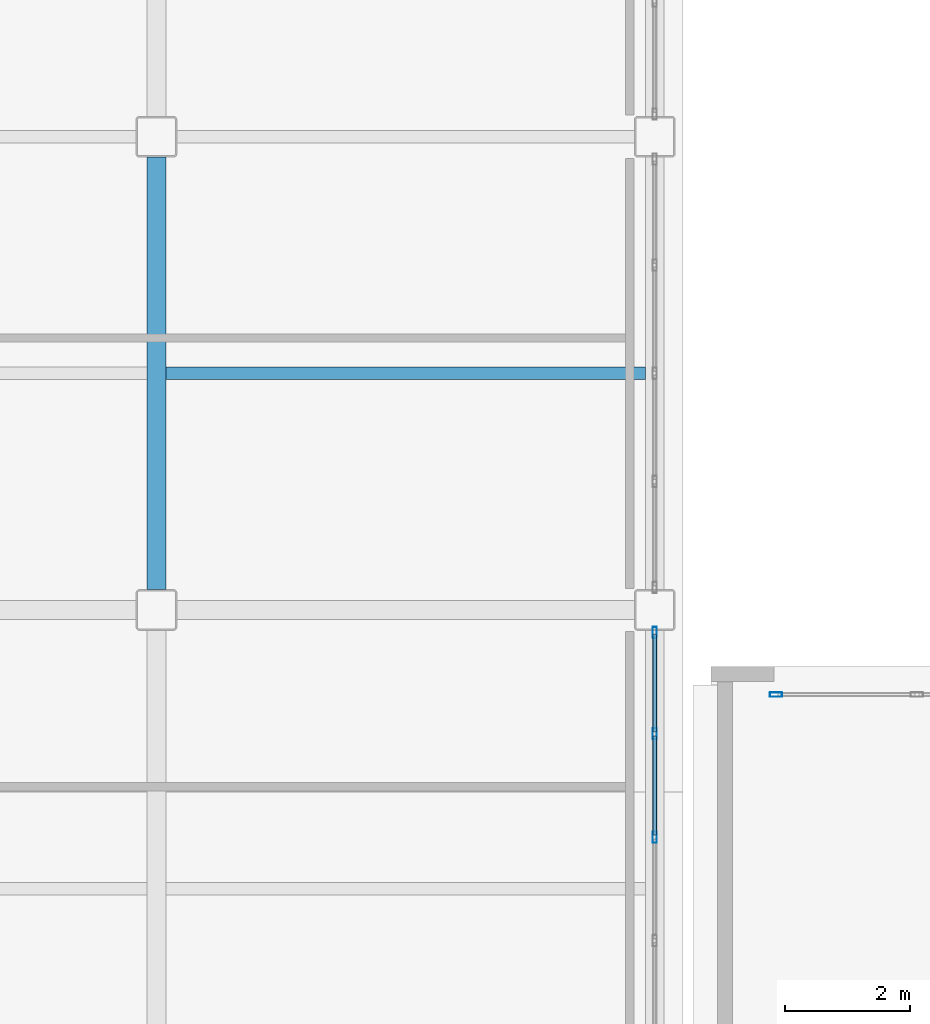
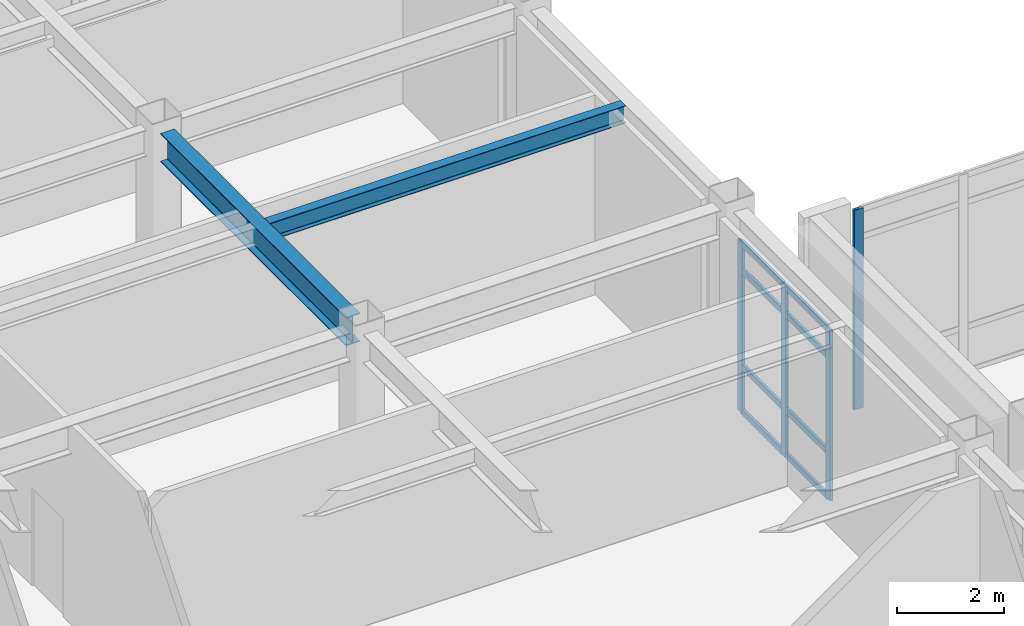
# One storey, part 57 of 172: 12 members, 2 beams, 2 elements without a shape of their own.
"""IFC4 building model written with IfcOpenShell, lengths in metres."""

from ifc_helpers import new_model, si_unit, direction, frame, origin, origin_2d, place, context, subcontext, project, spatial, hollow_rectangle, i_section, extrude, material, layer, layer_set, material_profile, profile_set, type_object, element, aggregate, save


model = new_model("IFC4")

# Units and contexts
model_context = context("Model", 3, precision=1e-05, world=origin(), true_north=direction((0.0, 1.0)))
body_context = subcontext(model_context, "Body", "Model", "MODEL_VIEW")
ifc_project = project(units=[si_unit("LENGTHUNIT", "METRE"), si_unit("AREAUNIT", "SQUARE_METRE"), si_unit("VOLUMEUNIT", "CUBIC_METRE"), si_unit("PLANEANGLEUNIT", "RADIAN"), si_unit("MASSUNIT", "GRAM", prefix="KILO")], contexts=[model_context])

# Site, building, storey
site_placement = place(None, origin())
site = spatial("IfcSite", under=ifc_project, at=site_placement, CompositionType="ELEMENT")
building_placement = place(site_placement, origin())
building = spatial("IfcBuilding", under=site, at=building_placement, Name="Kazehara Bluff Congress Hotel", CompositionType="ELEMENT")
storey_placement = place(building_placement, frame((0.0, 0.0, 5.39990234375)))
storey = spatial("IfcBuildingStorey", under=building, at=storey_placement, Name="L01", CompositionType="ELEMENT", Elevation=5.39990234375)

# Curtain wall, members
ifc_material_1 = material(Name="Anodised aluminium", Category="aluminium")
ifc_layer_1 = layer(ifc_material_1, 0.159912109375)
ifc_layer_set_1 = layer_set([ifc_layer_1], Name="Anodised aluminium")
curtain_wall_type_1 = type_object("IfcCurtainWallType", Name="TP-CW-54", PredefinedType="NOTDEFINED", material=ifc_layer_set_1)
curtain_wall_1_placement = place(storey_placement, origin())
curtain_wall_1 = element("IfcCurtainWall", 1, at=curtain_wall_1_placement, inside=storey, type_object=curtain_wall_type_1, Name="L01 curtain wall CW-54 CW-V4-L01-X10920-3233", PredefinedType="NOTDEFINED")
ifc_material_2 = material(Name="Anodised aluminium", Category="aluminium")
ifc_material_profile_1 = material_profile(ifc_material_2, hollow_rectangle(XDim=0.06494140625, YDim=0.179931640625, WallThickness=0.00390625, InnerFilletRadius=0.00390625, OuterFilletRadius=0.008056640625, at=origin_2d()))
ifc_profile_set_1 = profile_set([ifc_material_profile_1], Name="Anodised aluminium")
member_type_1 = type_object("IfcMemberType", Name="TP-CWM-02", PredefinedType="MULLION", material=ifc_profile_set_1)
member_1_placement = place(storey_placement, frame((109.199951171875, 37.27490234375, 0.0), z_axis=(0.0, 0.0, 1.0), x_axis=(-1.0, 0.0, 0.0)))
member_1 = element("IfcMember", 2, at=member_1_placement, type_object=member_type_1, Name="CW-54 mullion 4", PredefinedType="MULLION", context=body_context, shape_type="SweptSolid", body=[
    extrude(hollow_rectangle(XDim=0.06494140625, YDim=0.179931640625, WallThickness=0.00390625, InnerFilletRadius=0.00390625, OuterFilletRadius=0.008056640625, at=origin_2d()), origin(), (0.0, 0.0, 1.0), 3.875),
])
member_2_placement = place(storey_placement, frame((109.199951171875, 38.925048828125, 0.0), z_axis=(0.0, 0.0, 1.0), x_axis=(-1.0, 0.0, 0.0)))
member_2 = element("IfcMember", 3, at=member_2_placement, type_object=member_type_1, Name="CW-54 mullion 5", PredefinedType="MULLION", context=body_context, shape_type="SweptSolid", body=[
    extrude(hollow_rectangle(XDim=0.06494140625, YDim=0.179931640625, WallThickness=0.00390625, InnerFilletRadius=0.00390625, OuterFilletRadius=0.008056640625, at=origin_2d()), origin(), (0.0, 0.0, 1.0), 3.875),
])
member_3_placement = place(storey_placement, frame((109.199951171875, 40.54248046875, 0.0), z_axis=(0.0, 0.0, 1.0), x_axis=(-1.0, 0.0, 0.0)))
member_3 = element("IfcMember", 4, at=member_3_placement, type_object=member_type_1, Name="CW-54 mullion 6", PredefinedType="MULLION", context=body_context, shape_type="SweptSolid", body=[
    extrude(hollow_rectangle(XDim=0.06494140625, YDim=0.179931640625, WallThickness=0.00390625, InnerFilletRadius=0.00390625, OuterFilletRadius=0.008056640625, at=origin_2d()), origin(), (0.0, 0.0, 1.0), 3.875),
])

# Curtain wall, member
ifc_material_3 = material(Name="Anodised aluminium", Category="aluminium")
ifc_layer_2 = layer(ifc_material_3, 0.159912109375)
ifc_layer_set_2 = layer_set([ifc_layer_2], Name="Anodised aluminium")
curtain_wall_type_2 = type_object("IfcCurtainWallType", Name="TP-CW-82", PredefinedType="NOTDEFINED", material=ifc_layer_set_2)
curtain_wall_2_placement = place(storey_placement, origin())
curtain_wall_2 = element("IfcCurtainWall", 5, at=curtain_wall_2_placement, inside=storey, type_object=curtain_wall_type_2, Name="L01 curtain wall CW-82 CW-V5-L01-Y3955-11110", PredefinedType="NOTDEFINED")
ifc_material_4 = material(Name="Anodised aluminium", Category="aluminium")
ifc_material_profile_2 = material_profile(ifc_material_4, hollow_rectangle(XDim=0.070068359375, YDim=0.199951171875, WallThickness=0.0048828125, InnerFilletRadius=0.0048828125, OuterFilletRadius=0.010009765625, at=origin_2d()))
ifc_profile_set_2 = profile_set([ifc_material_profile_2], Name="Anodised aluminium")
member_type_2 = type_object("IfcMemberType", Name="TP-CWM-03", PredefinedType="MULLION", material=ifc_profile_set_2)
member_4_placement = place(storey_placement, frame((111.135009765625, 39.550048828125, 0.0), z_axis=(0.0, 0.0, 1.0), x_axis=(0.0, 1.0, 0.0)))
member_4 = element("IfcMember", 6, at=member_4_placement, type_object=member_type_2, Name="CW-82 mullion 1", PredefinedType="MULLION", context=body_context, shape_type="SweptSolid", body=[
    extrude(hollow_rectangle(XDim=0.070068359375, YDim=0.199951171875, WallThickness=0.0048828125, InnerFilletRadius=0.0048828125, OuterFilletRadius=0.010009765625, at=origin_2d()), origin(), (0.0, 0.0, 1.0), 4.53515625),
])
aggregate(curtain_wall_2, [member_4])

# Member
ifc_material_5 = material(Name="Anodised aluminium", Category="aluminium")
ifc_material_profile_3 = material_profile(ifc_material_5, hollow_rectangle(XDim=0.06494140625, YDim=0.139892578125, WallThickness=0.00390625, InnerFilletRadius=0.00390625, OuterFilletRadius=0.008056640625, at=origin_2d()))
ifc_profile_set_3 = profile_set([ifc_material_profile_3], Name="Anodised aluminium")
member_type_3 = type_object("IfcMemberType", Name="TP-CWT-02", PredefinedType="USERDEFINED", material=ifc_profile_set_3)
member_5_placement = place(storey_placement, frame((109.199951171875, 37.3076171875, 0.03271484375), z_axis=(0.0, 1.0, 0.0), x_axis=(-1.0, 0.0, 0.0)))
member_5 = element("IfcMember", 7, at=member_5_placement, type_object=member_type_3, Name="CW-54 transom 4.1", ObjectType="TRANSOM", PredefinedType="USERDEFINED", context=body_context, shape_type="SweptSolid", body=[
    extrude(hollow_rectangle(XDim=0.06494140625, YDim=0.139892578125, WallThickness=0.00390625, InnerFilletRadius=0.00390625, OuterFilletRadius=0.008056640625, at=origin_2d()), origin(), (0.0, 0.0, 1.0), 1.5849609375),
])

member_6_placement = place(storey_placement, frame((109.199951171875, 37.3076171875, 1.050048828125), z_axis=(0.0, 1.0, 0.0), x_axis=(-1.0, 0.0, 0.0)))
member_6 = element("IfcMember", 8, at=member_6_placement, type_object=member_type_3, Name="CW-54 transom 4.2", ObjectType="TRANSOM", PredefinedType="USERDEFINED", context=body_context, shape_type="SweptSolid", body=[
    extrude(hollow_rectangle(XDim=0.06494140625, YDim=0.139892578125, WallThickness=0.00390625, InnerFilletRadius=0.00390625, OuterFilletRadius=0.008056640625, at=origin_2d()), origin(), (0.0, 0.0, 1.0), 1.5849609375),
])

member_7_placement = place(storey_placement, frame((109.199951171875, 37.3076171875, 3.22509765625), z_axis=(0.0, 1.0, 0.0), x_axis=(-1.0, 0.0, 0.0)))
member_7 = element("IfcMember", 9, at=member_7_placement, type_object=member_type_3, Name="CW-54 transom 4.3", ObjectType="TRANSOM", PredefinedType="USERDEFINED", context=body_context, shape_type="SweptSolid", body=[
    extrude(hollow_rectangle(XDim=0.06494140625, YDim=0.139892578125, WallThickness=0.00390625, InnerFilletRadius=0.00390625, OuterFilletRadius=0.008056640625, at=origin_2d()), origin(), (0.0, 0.0, 1.0), 1.5849609375),
])

member_8_placement = place(storey_placement, frame((109.199951171875, 37.3076171875, 3.842529296875), z_axis=(0.0, 1.0, 0.0), x_axis=(-1.0, 0.0, 0.0)))
member_8 = element("IfcMember", 10, at=member_8_placement, type_object=member_type_3, Name="CW-54 transom 4.4", ObjectType="TRANSOM", PredefinedType="USERDEFINED", context=body_context, shape_type="SweptSolid", body=[
    extrude(hollow_rectangle(XDim=0.06494140625, YDim=0.139892578125, WallThickness=0.00390625, InnerFilletRadius=0.00390625, OuterFilletRadius=0.008056640625, at=origin_2d()), origin(), (0.0, 0.0, 1.0), 1.5849609375),
])

member_9_placement = place(storey_placement, frame((109.199951171875, 38.95751953125, 0.03271484375), z_axis=(0.0, 1.0, 0.0), x_axis=(-1.0, 0.0, 0.0)))
member_9 = element("IfcMember", 11, at=member_9_placement, type_object=member_type_3, Name="CW-54 transom 5.1", ObjectType="TRANSOM", PredefinedType="USERDEFINED", context=body_context, shape_type="SweptSolid", body=[
    extrude(hollow_rectangle(XDim=0.06494140625, YDim=0.139892578125, WallThickness=0.00390625, InnerFilletRadius=0.00390625, OuterFilletRadius=0.008056640625, at=origin_2d()), origin(), (0.0, 0.0, 1.0), 1.552490234375),
])

member_10_placement = place(storey_placement, frame((109.199951171875, 38.95751953125, 1.050048828125), z_axis=(0.0, 1.0, 0.0), x_axis=(-1.0, 0.0, 0.0)))
member_10 = element("IfcMember", 12, at=member_10_placement, type_object=member_type_3, Name="CW-54 transom 5.2", ObjectType="TRANSOM", PredefinedType="USERDEFINED", context=body_context, shape_type="SweptSolid", body=[
    extrude(hollow_rectangle(XDim=0.06494140625, YDim=0.139892578125, WallThickness=0.00390625, InnerFilletRadius=0.00390625, OuterFilletRadius=0.008056640625, at=origin_2d()), origin(), (0.0, 0.0, 1.0), 1.552490234375),
])

member_11_placement = place(storey_placement, frame((109.199951171875, 38.95751953125, 3.22509765625), z_axis=(0.0, 1.0, 0.0), x_axis=(-1.0, 0.0, 0.0)))
member_11 = element("IfcMember", 13, at=member_11_placement, type_object=member_type_3, Name="CW-54 transom 5.3", ObjectType="TRANSOM", PredefinedType="USERDEFINED", context=body_context, shape_type="SweptSolid", body=[
    extrude(hollow_rectangle(XDim=0.06494140625, YDim=0.139892578125, WallThickness=0.00390625, InnerFilletRadius=0.00390625, OuterFilletRadius=0.008056640625, at=origin_2d()), origin(), (0.0, 0.0, 1.0), 1.552490234375),
])

member_12_placement = place(storey_placement, frame((109.199951171875, 38.95751953125, 3.842529296875), z_axis=(0.0, 1.0, 0.0), x_axis=(-1.0, 0.0, 0.0)))
member_12 = element("IfcMember", 14, at=member_12_placement, type_object=member_type_3, Name="CW-54 transom 5.4", ObjectType="TRANSOM", PredefinedType="USERDEFINED", context=body_context, shape_type="SweptSolid", body=[
    extrude(hollow_rectangle(XDim=0.06494140625, YDim=0.139892578125, WallThickness=0.00390625, InnerFilletRadius=0.00390625, OuterFilletRadius=0.008056640625, at=origin_2d()), origin(), (0.0, 0.0, 1.0), 1.552490234375),
])

aggregate(curtain_wall_1, [member_1, member_2, member_3, member_5, member_6, member_7, member_8, member_9, member_10, member_11, member_12])

# Beams
ifc_material_6 = material(Name="Steel SN490B", Category="steel")
ifc_material_profile_4 = material_profile(ifc_material_6, i_section(OverallWidth=0.300048828125, OverallDepth=0.64990234375, WebThickness=0.011962890625, FlangeThickness=0.02001953125, FilletRadius=0.012939453125, at=origin_2d()))
ifc_profile_set_4 = profile_set([ifc_material_profile_4], Name="Steel SN490B")
beam_type_1 = type_object("IfcBeamType", Name="TP-G-03", PredefinedType="BEAM", material=ifc_profile_set_4)
beam_1_placement = place(storey_placement, frame((101.25, 41.22509765625, 4.22509765625), z_axis=(0.0, 1.0, 0.0), x_axis=(-1.0, 0.0, 0.0)))
element("IfcBeam", 15, at=beam_1_placement, inside=storey, type_object=beam_type_1, Name="L01 girder G-03 178", PredefinedType="BEAM", context=body_context, shape_type="SweptSolid", body=[
    extrude(i_section(OverallWidth=0.300048828125, OverallDepth=0.64990234375, WebThickness=0.011962890625, FlangeThickness=0.02001953125, FilletRadius=0.012939453125, at=origin_2d()), origin(), (0.0, 0.0, 1.0), 6.89990234375),
])
ifc_material_7 = material(Name="Steel SN400B", Category="steel")
ifc_material_profile_5 = material_profile(ifc_material_7, i_section(OverallWidth=0.199951171875, OverallDepth=0.39990234375, WebThickness=0.008056640625, FlangeThickness=0.012939453125, FilletRadius=0.012939453125, at=origin_2d()))
ifc_profile_set_5 = profile_set([ifc_material_profile_5], Name="Steel SN400B")
beam_type_2 = type_object("IfcBeamType", Name="TP-J-03", PredefinedType="JOIST", material=ifc_profile_set_5)
beam_2_placement = place(storey_placement, frame((101.39990234375, 44.675048828125, 4.35009765625), z_axis=(1.0, 0.0, 0.0), x_axis=(0.0, 1.0, 0.0)))
element("IfcBeam", 16, at=beam_2_placement, inside=storey, type_object=beam_type_2, Name="L01 secondary joist J-03 53", PredefinedType="JOIST", context=body_context, shape_type="SweptSolid", body=[
    extrude(i_section(OverallWidth=0.199951171875, OverallDepth=0.39990234375, WebThickness=0.008056640625, FlangeThickness=0.012939453125, FilletRadius=0.012939453125, at=origin_2d()), origin(), (0.0, 0.0, 1.0), 7.650146484375),
])

save(model, "model.ifc")
